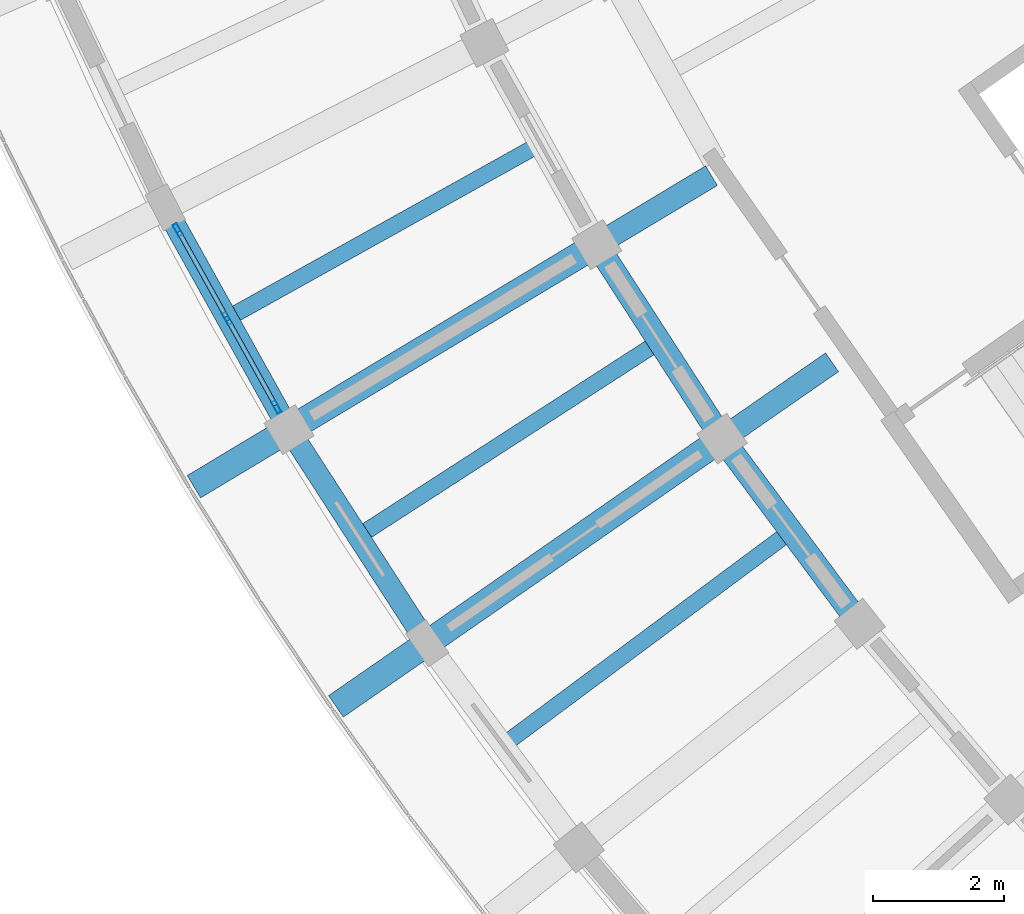
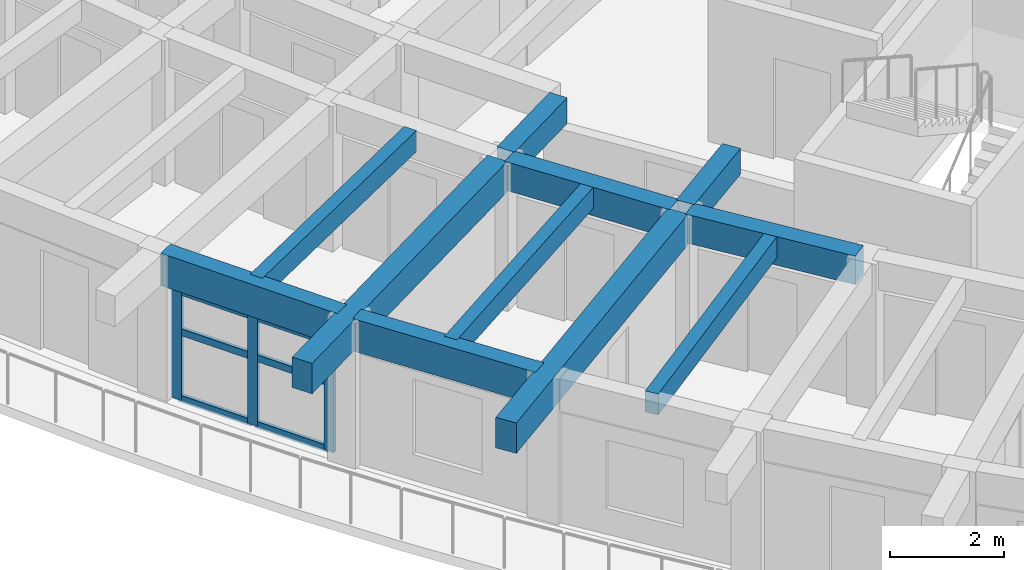
# One storey, part 5 of 96: 11 beams, 9 members, 1 element without a shape of its own.
"""IFC4 building model written with IfcOpenShell, lengths in metres."""

from ifc_helpers import new_model, si_unit, direction, frame, origin, origin_2d, place, context, subcontext, project, spatial, rectangle, hollow_rectangle, extrude, material, material_profile, profile_set, type_object, element, aggregate, save


model = new_model("IFC4")

# Units and contexts
model_context = context("Model", 3, precision=1e-05, world=origin(), true_north=direction((0.0, 1.0)))
body_context = subcontext(model_context, "Body", "Model", "MODEL_VIEW")
ifc_project = project(units=[si_unit("LENGTHUNIT", "METRE"), si_unit("AREAUNIT", "SQUARE_METRE"), si_unit("VOLUMEUNIT", "CUBIC_METRE"), si_unit("PLANEANGLEUNIT", "RADIAN"), si_unit("MASSUNIT", "GRAM", prefix="KILO")], contexts=[model_context])

# Site, building, storey
site_placement = place(None, origin())
site = spatial("IfcSite", under=ifc_project, at=site_placement, CompositionType="ELEMENT")
building_placement = place(site_placement, origin())
building = spatial("IfcBuilding", under=site, at=building_placement, Name="Tanwirah Colonnade Gardens", CompositionType="ELEMENT")
storey_placement = place(building_placement, frame((0.0, 0.0, 12.199951171875)))
storey = spatial("IfcBuildingStorey", under=building, at=storey_placement, Name="L03", CompositionType="ELEMENT", Elevation=12.199951171875)

# Beams
ifc_material_1 = material(Name="Precast concrete C40/50", Category="concrete")
ifc_material_profile_1 = material_profile(ifc_material_1, rectangle(XDim=0.360107421875, YDim=0.610107421875, at=origin_2d()), Name="PC-BM 360x610")
ifc_profile_set_1 = profile_set([ifc_material_profile_1], Name="Precast concrete C40/50")
beam_type_1 = type_object("IfcBeamType", Name="BM-PC300", PredefinedType="BEAM", material=ifc_profile_set_1)
beam_1_placement = place(storey_placement, frame((18.75146484375, 36.5361328125, 2.800048828125), z_axis=(0.542825891173, -0.839845254718, 0.0), x_axis=(0.839845254718, 0.542825891173, 0.0)))
element("IfcBeam", 1, at=beam_1_placement, inside=storey, type_object=beam_type_1, Name="Block C L03 Circumferential Beam 4-R2", PredefinedType="BEAM", context=body_context, shape_type="SweptSolid", body=[
    extrude(rectangle(XDim=0.360107421875, YDim=0.610107421875, at=origin_2d()), origin(), (0.0, 0.0, 1.0), 3.23681640625),
])
beam_2_placement = place(storey_placement, frame((20.679443359375, 33.5712890625, 2.800048828125), z_axis=(0.596579473879, -0.802554005252, 0.0), x_axis=(0.802554005252, 0.596579473879, 0.0)))
element("IfcBeam", 2, at=beam_2_placement, inside=storey, type_object=beam_type_1, Name="Block C L03 Circumferential Beam 5-R2", PredefinedType="BEAM", context=body_context, shape_type="SweptSolid", body=[
    extrude(rectangle(XDim=0.360107421875, YDim=0.610107421875, at=origin_2d()), origin(), (0.0, 0.0, 1.0), 3.237060546875),
])
ifc_material_profile_2 = material_profile(ifc_material_1, rectangle(XDim=0.35009765625, YDim=0.550048828125, at=origin_2d()), Name="PC-BM 350x550")
ifc_profile_set_2 = profile_set([ifc_material_profile_2], Name="Precast concrete C40/50")
beam_type_2 = type_object("IfcBeamType", Name="BM-PC350A", PredefinedType="BEAM", material=ifc_profile_set_2)
beam_3_placement = place(storey_placement, frame((20.42724609375, 37.718017578125, 2.830078125), z_axis=(-0.857186654737, -0.515005863017, 0.0), x_axis=(0.515005863017, -0.857186654737, 0.0)))
element("IfcBeam", 3, at=beam_3_placement, inside=storey, type_object=beam_type_2, Name="Block C L03 Corridor Tie Beam 4", PredefinedType="BEAM", context=body_context, shape_type="SweptSolid", body=[
    extrude(rectangle(XDim=0.35009765625, YDim=0.550048828125, at=origin_2d()), origin(), (0.0, 0.0, 1.0), 1.89990234375),
])
beam_4_placement = place(storey_placement, frame((22.2744140625, 34.860107421875, 2.830078125), z_axis=(-0.821669163201, -0.569964723684, 0.0), x_axis=(0.569964723684, -0.821669163201, 0.0)))
element("IfcBeam", 4, at=beam_4_placement, inside=storey, type_object=beam_type_2, Name="Block C L03 Corridor Tie Beam 5", PredefinedType="BEAM", context=body_context, shape_type="SweptSolid", body=[
    extrude(rectangle(XDim=0.35009765625, YDim=0.550048828125, at=origin_2d()), origin(), (0.0, 0.0, 1.0), 1.900146484375),
])
ifc_material_2 = material(Name="Precast concrete C45/55", Category="concrete")
ifc_material_profile_3 = material_profile(ifc_material_2, rectangle(XDim=0.39990234375, YDim=0.64990234375, at=origin_2d()), Name="PC-BM 400x650")
ifc_profile_set_3 = profile_set([ifc_material_profile_3], Name="Precast concrete C45/55")
beam_type_3 = type_object("IfcBeamType", Name="BM-PC400", PredefinedType="BEAM", material=ifc_profile_set_3)
for number, where, z_axis, x_axis, name in (
    (5, (18.54150390625, 36.5849609375, 2.780029296875), (-0.857159687729, -0.515050744812, 0.0), (0.515050744812, -0.857159687729, 0.0), "Block C L03 Outer Radial Precast Girder 4"),
    (6, (20.466796875, 33.606201171875, 2.780029296875), (-0.821647028495, -0.569996632066, 0.0), (0.569996632066, -0.821647028495, 0.0), "Block C L03 Outer Radial Precast Girder 5"),
):
    element("IfcBeam", number, at=place(storey_placement, frame(where, z_axis=z_axis, x_axis=x_axis)), inside=storey, type_object=beam_type_3, Name=name, PredefinedType="BEAM", context=body_context, shape_type="SweptSolid", body=[
        extrude(rectangle(XDim=0.39990234375, YDim=0.64990234375, at=origin_2d()), origin(), (0.0, 0.0, 1.0), 7.050048828125),
    ])

# Curtain wall, members
ifc_material_3 = material(Name="Bronze-anodised aluminium and solar-control low-E glass", Category="aluminium")
curtain_wall_type = type_object("IfcCurtainWallType", Name="CW-LOB", PredefinedType="NOTDEFINED", material=ifc_material_3)
curtain_wall_placement = place(storey_placement, origin())
curtain_wall = element("IfcCurtainWall", 7, at=curtain_wall_placement, inside=storey, type_object=curtain_wall_type, Name="Curtain Wall CW-C-L03-OUT-03", PredefinedType="NOTDEFINED")
ifc_material_4 = material(Name="Bronze-anodised aluminium", Category="aluminium")
ifc_material_profile_4 = material_profile(ifc_material_4, hollow_rectangle(XDim=0.070068359375, YDim=0.199951171875, WallThickness=0.00390625, at=origin_2d()), Name="CW-MUL 70x200x4")
ifc_profile_set_4 = profile_set([ifc_material_profile_4], Name="Bronze-anodised aluminium")
member_type_1 = type_object("IfcMemberType", Name="CWM-70x200", PredefinedType="MULLION", material=ifc_profile_set_4)
member_1_placement = place(storey_placement, frame((12.251220703125, 36.888671875, 0.0), z_axis=(0.0, 0.0, 1.0), x_axis=(0.873560768318, 0.486715095364, 0.0)))
member_1 = element("IfcMember", 8, at=member_1_placement, type_object=member_type_1, Name="CW-LOB mullion 1", PredefinedType="MULLION", context=body_context, shape_type="SweptSolid", body=[
    extrude(hollow_rectangle(XDim=0.070068359375, YDim=0.199951171875, WallThickness=0.00390625, at=origin_2d()), origin(), (0.0, 0.0, 1.0), 2.35498046875),
])
member_2_placement = place(storey_placement, frame((13.00732421875, 35.531494140625, 0.0), z_axis=(0.0, 0.0, 1.0), x_axis=(0.873560768318, 0.486715095364, 0.0)))
member_2 = element("IfcMember", 9, at=member_2_placement, type_object=member_type_1, Name="CW-LOB mullion 2", PredefinedType="MULLION", context=body_context, shape_type="SweptSolid", body=[
    extrude(hollow_rectangle(XDim=0.070068359375, YDim=0.199951171875, WallThickness=0.00390625, at=origin_2d()), origin(), (0.0, 0.0, 1.0), 2.35498046875),
])
member_3_placement = place(storey_placement, frame((13.763427734375, 34.174560546875, 0.0), z_axis=(0.0, 0.0, 1.0), x_axis=(0.873560768318, 0.486715095364, 0.0)))
member_3 = element("IfcMember", 10, at=member_3_placement, type_object=member_type_1, Name="CW-LOB mullion 3", PredefinedType="MULLION", context=body_context, shape_type="SweptSolid", body=[
    extrude(hollow_rectangle(XDim=0.070068359375, YDim=0.199951171875, WallThickness=0.00390625, at=origin_2d()), origin(), (0.0, 0.0, 1.0), 2.35498046875),
])
ifc_material_profile_5 = material_profile(ifc_material_4, hollow_rectangle(XDim=0.070068359375, YDim=0.14990234375, WallThickness=0.00390625, at=origin_2d()), Name="CW-TRN 70x150x4")
ifc_profile_set_5 = profile_set([ifc_material_profile_5], Name="Bronze-anodised aluminium")
member_type_2 = type_object("IfcMemberType", Name="CWT-70x150", PredefinedType="USERDEFINED", material=ifc_profile_set_5)
member_4_placement = place(storey_placement, frame((12.268310546875, 36.85791015625, 0.03515625), z_axis=(0.486662685206, -0.873589967221, 0.0), x_axis=(0.873589967221, 0.486662685206, 0.0)))
member_4 = element("IfcMember", 11, at=member_4_placement, type_object=member_type_2, Name="CW-LOB transom 1.1", ObjectType="TRANSOM", PredefinedType="USERDEFINED", context=body_context, shape_type="SweptSolid", body=[
    extrude(hollow_rectangle(XDim=0.070068359375, YDim=0.14990234375, WallThickness=0.00390625, at=origin_2d()), origin(), (0.0, 0.0, 1.0), 1.4833984375),
])
member_5_placement = place(storey_placement, frame((12.268310546875, 36.85791015625, 1.460205078125), z_axis=(0.486662685206, -0.873589967221, 0.0), x_axis=(0.873589967221, 0.486662685206, 0.0)))
member_5 = element("IfcMember", 12, at=member_5_placement, type_object=member_type_2, Name="CW-LOB transom 1.2", ObjectType="TRANSOM", PredefinedType="USERDEFINED", context=body_context, shape_type="SweptSolid", body=[
    extrude(hollow_rectangle(XDim=0.070068359375, YDim=0.14990234375, WallThickness=0.00390625, at=origin_2d()), origin(), (0.0, 0.0, 1.0), 1.4833984375),
])
member_6_placement = place(storey_placement, frame((12.268310546875, 36.85791015625, 2.320068359375), z_axis=(0.486662685206, -0.873589967221, 0.0), x_axis=(0.873589967221, 0.486662685206, 0.0)))
member_6 = element("IfcMember", 13, at=member_6_placement, type_object=member_type_2, Name="CW-LOB transom 1.3", ObjectType="TRANSOM", PredefinedType="USERDEFINED", context=body_context, shape_type="SweptSolid", body=[
    extrude(hollow_rectangle(XDim=0.070068359375, YDim=0.14990234375, WallThickness=0.00390625, at=origin_2d()), origin(), (0.0, 0.0, 1.0), 1.4833984375),
])
member_7_placement = place(storey_placement, frame((13.0244140625, 35.5009765625, 0.03515625), z_axis=(0.486662685206, -0.873589967221, 0.0), x_axis=(0.873589967221, 0.486662685206, 0.0)))
member_7 = element("IfcMember", 14, at=member_7_placement, type_object=member_type_2, Name="CW-LOB transom 2.1", ObjectType="TRANSOM", PredefinedType="USERDEFINED", context=body_context, shape_type="SweptSolid", body=[
    extrude(hollow_rectangle(XDim=0.070068359375, YDim=0.14990234375, WallThickness=0.00390625, at=origin_2d()), origin(), (0.0, 0.0, 1.0), 1.4833984375),
])
member_8_placement = place(storey_placement, frame((13.0244140625, 35.5009765625, 1.460205078125), z_axis=(0.486662685206, -0.873589967221, 0.0), x_axis=(0.873589967221, 0.486662685206, 0.0)))
member_8 = element("IfcMember", 15, at=member_8_placement, type_object=member_type_2, Name="CW-LOB transom 2.2", ObjectType="TRANSOM", PredefinedType="USERDEFINED", context=body_context, shape_type="SweptSolid", body=[
    extrude(hollow_rectangle(XDim=0.070068359375, YDim=0.14990234375, WallThickness=0.00390625, at=origin_2d()), origin(), (0.0, 0.0, 1.0), 1.4833984375),
])
member_9_placement = place(storey_placement, frame((13.0244140625, 35.5009765625, 2.320068359375), z_axis=(0.486662685206, -0.873589967221, 0.0), x_axis=(0.873589967221, 0.486662685206, 0.0)))
member_9 = element("IfcMember", 16, at=member_9_placement, type_object=member_type_2, Name="CW-LOB transom 2.3", ObjectType="TRANSOM", PredefinedType="USERDEFINED", context=body_context, shape_type="SweptSolid", body=[
    extrude(hollow_rectangle(XDim=0.070068359375, YDim=0.14990234375, WallThickness=0.00390625, at=origin_2d()), origin(), (0.0, 0.0, 1.0), 1.4833984375),
])
aggregate(curtain_wall, [member_1, member_2, member_3, member_4, member_5, member_6, member_7, member_8, member_9])

# Beams
ifc_material_profile_6 = material_profile(ifc_material_1, rectangle(XDim=0.25, YDim=0.449951171875, at=origin_2d()), Name="PC-JST 250x450")
ifc_profile_set_6 = profile_set([ifc_material_profile_6], Name="Precast concrete C40/50")
beam_type_4 = type_object("IfcBeamType", Name="JST-PC250", PredefinedType="JOIST", material=ifc_profile_set_6)
for number, where, z_axis, x_axis, name in (
    (17, (17.67919921875, 38.134521484375, 2.880126953125), (-0.87356769437, -0.486702664214, 0.0), (0.486702664214, -0.87356769437, 0.0), "Block C L03 Precast Floor Joist 3"),
    (18, (19.5048828125, 35.09619140625, 2.880126953125), (-0.839842770955, -0.542829733963, 0.0), (0.542829733963, -0.839842770955, 0.0), "Block C L03 Precast Floor Joist 4"),
    (19, (21.525390625, 32.18359375, 2.880126953125), (-0.802560347737, -0.596570941499, 0.0), (0.596570941499, -0.802560347737, 0.0), "Block C L03 Precast Floor Joist 5"),
):
    element("IfcBeam", number, at=place(storey_placement, frame(where, z_axis=z_axis, x_axis=x_axis)), inside=storey, type_object=beam_type_4, Name=name, PredefinedType="JOIST", context=body_context, shape_type="SweptSolid", body=[
        extrude(rectangle(XDim=0.25, YDim=0.449951171875, at=origin_2d()), origin(), (0.0, 0.0, 1.0), 5.260009765625),
    ])
ifc_material_profile_7 = material_profile(ifc_material_1, rectangle(XDim=0.330078125, YDim=0.68994140625, at=origin_2d()), Name="PC-SP 330x690")
ifc_profile_set_7 = profile_set([ifc_material_profile_7], Name="Precast concrete C40/50")
beam_type_5 = type_object("IfcBeamType", Name="SP-PC280", PredefinedType="SPANDREL", material=ifc_profile_set_7)
beam_5_placement = place(storey_placement, frame((12.132080078125, 37.1025390625, 2.760009765625), z_axis=(0.486679958674, -0.87358034423, 0.0), x_axis=(0.87358034423, 0.486679958674, 0.0)))
element("IfcBeam", 20, at=beam_5_placement, inside=storey, type_object=beam_type_5, Name="Block C L03 Circumferential Beam 3-R3", PredefinedType="SPANDREL", context=body_context, shape_type="SweptSolid", body=[
    extrude(rectangle(XDim=0.330078125, YDim=0.68994140625, at=origin_2d()), origin(), (0.0, 0.0, 1.0), 3.5966796875),
])
beam_6_placement = place(storey_placement, frame((14.037109375, 33.70361328125, 2.760009765625), z_axis=(0.542786838894, -0.839870494495, 0.0), x_axis=(0.839870494495, 0.542786838894, 0.0)))
element("IfcBeam", 21, at=beam_6_placement, inside=storey, type_object=beam_type_5, Name="Block C L03 Circumferential Beam 4-R3", PredefinedType="SPANDREL", context=body_context, shape_type="SweptSolid", body=[
    extrude(rectangle(XDim=0.330078125, YDim=0.68994140625, at=origin_2d()), origin(), (0.0, 0.0, 1.0), 3.596923828125),
])

save(model, "model.ifc")
